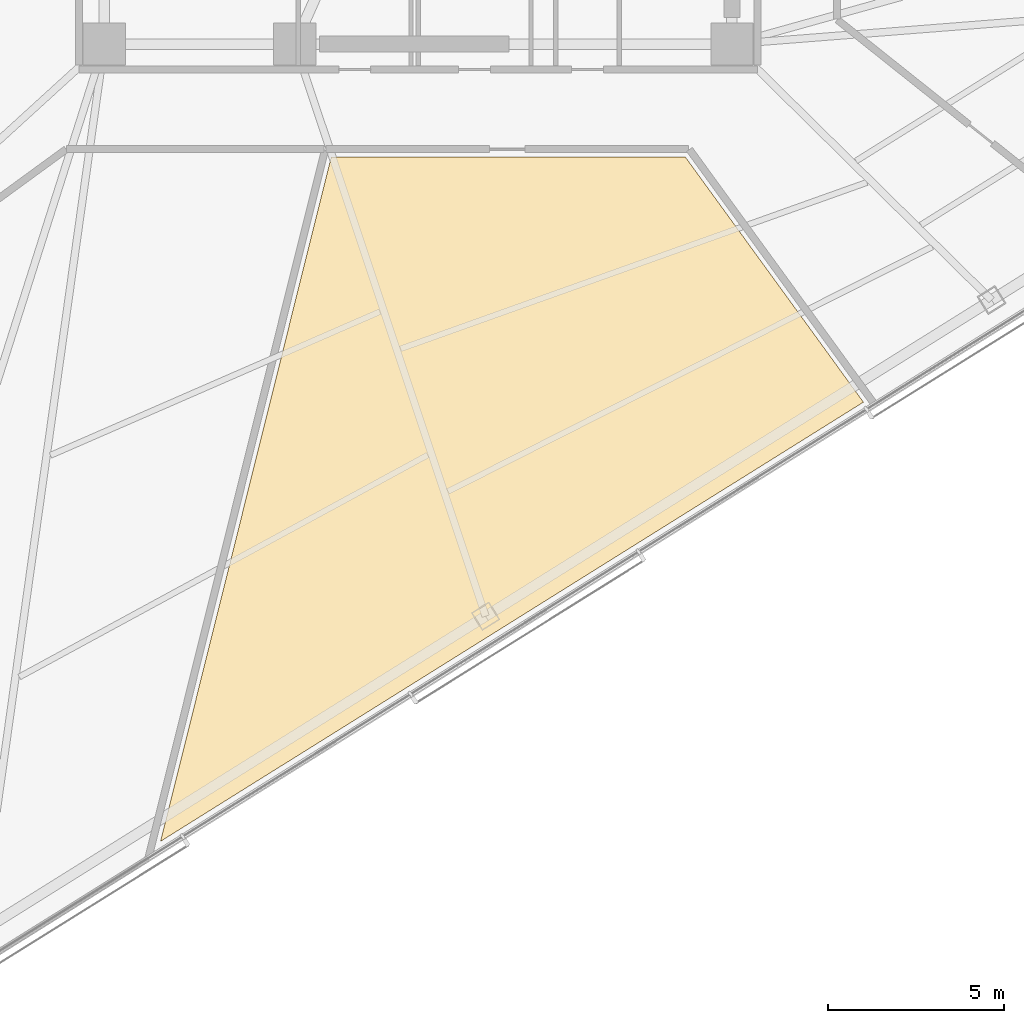
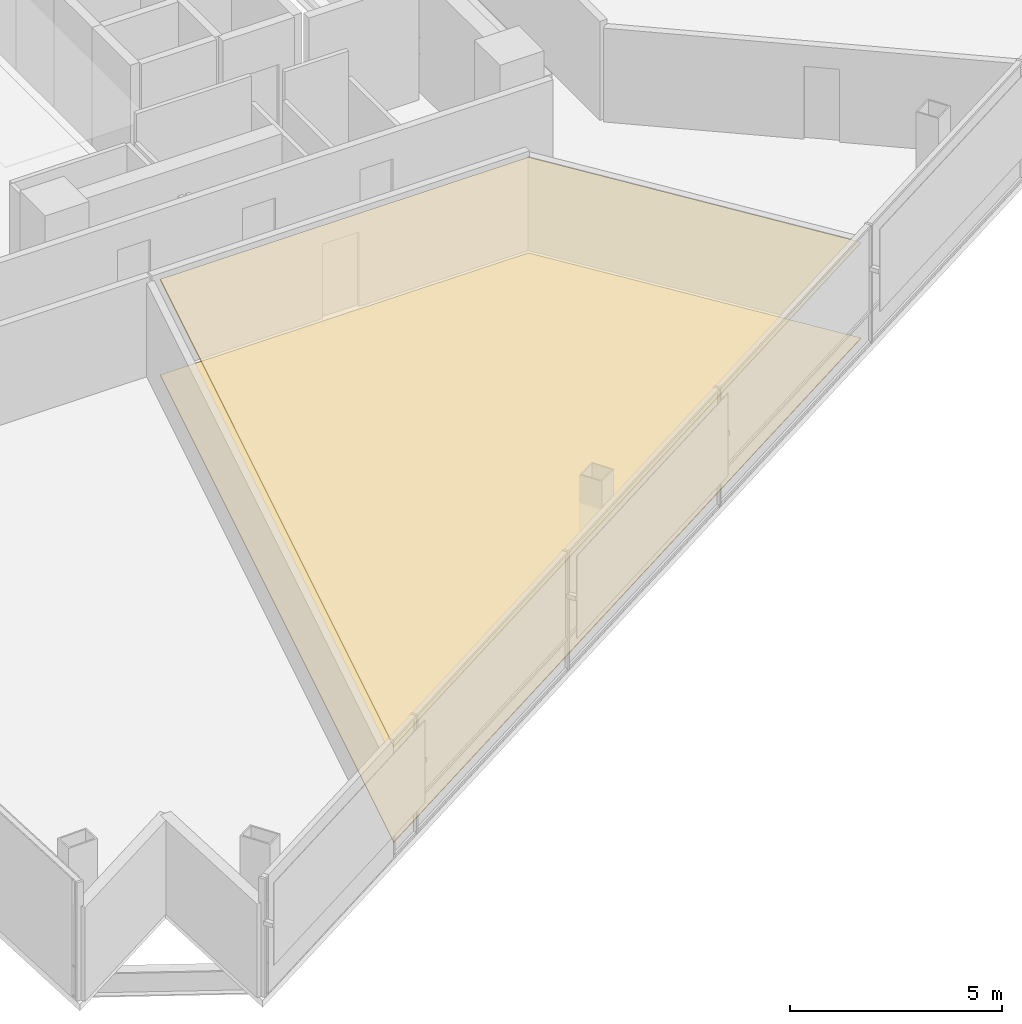
# One storey, part 17 of 21: 2 coverings.
"""IFC4 building model written with IfcOpenShell, lengths in metres."""

from ifc_helpers import new_model, si_unit, direction, frame, origin, place, context, subcontext, project, spatial, polyline, outline, extrude, material, layer, layer_set, type_object, element, save


model = new_model("IFC4")

# Units and contexts
model_context = context("Model", 3, precision=1e-05, world=origin(), true_north=direction((0.0, 1.0)))
body_context = subcontext(model_context, "Body", "Model", "MODEL_VIEW")
ifc_project = project(units=[si_unit("LENGTHUNIT", "METRE"), si_unit("AREAUNIT", "SQUARE_METRE"), si_unit("VOLUMEUNIT", "CUBIC_METRE"), si_unit("PLANEANGLEUNIT", "RADIAN"), si_unit("MASSUNIT", "GRAM", prefix="KILO")], contexts=[model_context])

# Site, building, storey
site_placement = place(None, origin())
site = spatial("IfcSite", under=ifc_project, at=site_placement, CompositionType="ELEMENT")
building_placement = place(site_placement, origin())
building = spatial("IfcBuilding", under=site, at=building_placement, Name="Tharavind Bronze Gate", CompositionType="ELEMENT")
storey_placement = place(building_placement, frame((0.0, 0.0, 156.800048828125)))
storey = spatial("IfcBuildingStorey", under=building, at=storey_placement, Name="L40", CompositionType="ELEMENT", Elevation=156.800048828125)

# Coverings
ifc_material_1 = material(Name="Engineered Oak & Carpet Tile", Category="wood")
ifc_layer_1 = layer(ifc_material_1, 0.02490234375)
ifc_layer_set_1 = layer_set([ifc_layer_1], Name="Engineered Oak & Carpet Tile")
covering_type_1 = type_object("IfcCoveringType", Name="ENGINEERED TIMBER FLOORING", PredefinedType="FLOORING", material=ifc_layer_set_1)
covering_1_placement = place(storey_placement, origin())
element("IfcCovering", 1, at=covering_1_placement, inside=storey, type_object=covering_type_1, Name="L40-RM-05 floor finish", PredefinedType="FLOORING", context=body_context, shape_type="SweptSolid", body=[
    extrude(outline(polyline([(12.62890625, -17.756591796875), (7.57470703125, -10.800048828125), (-2.466064453125, -10.800048828125), (-7.306396484375, -30.21337890625), (12.62890625, -17.756591796875)])), origin(), (0.0, 0.0, 1.0), 0.02490234375),
])
ifc_material_2 = material(Name="Acoustic Gypsum Board", Category="gypsum")
ifc_layer_2 = layer(ifc_material_2, 0.030029296875)
ifc_layer_set_2 = layer_set([ifc_layer_2], Name="Acoustic Gypsum Board")
covering_type_2 = type_object("IfcCoveringType", Name="GYPSUM SUSPENDED CEILING", PredefinedType="CEILING", material=ifc_layer_set_2)
covering_2_placement = place(storey_placement, frame((0.0, 0.0, 2.75)))
element("IfcCovering", 2, at=covering_2_placement, inside=storey, type_object=covering_type_2, Name="L40-RM-05 suspended ceiling", PredefinedType="CEILING", context=body_context, shape_type="SweptSolid", body=[
    extrude(outline(polyline([(12.62890625, -17.756591796875), (7.57470703125, -10.800048828125), (-2.466064453125, -10.800048828125), (-7.306396484375, -30.21337890625), (12.62890625, -17.756591796875)])), origin(), (0.0, 0.0, 1.0), 0.034912109375),
])

save(model, "model.ifc")
